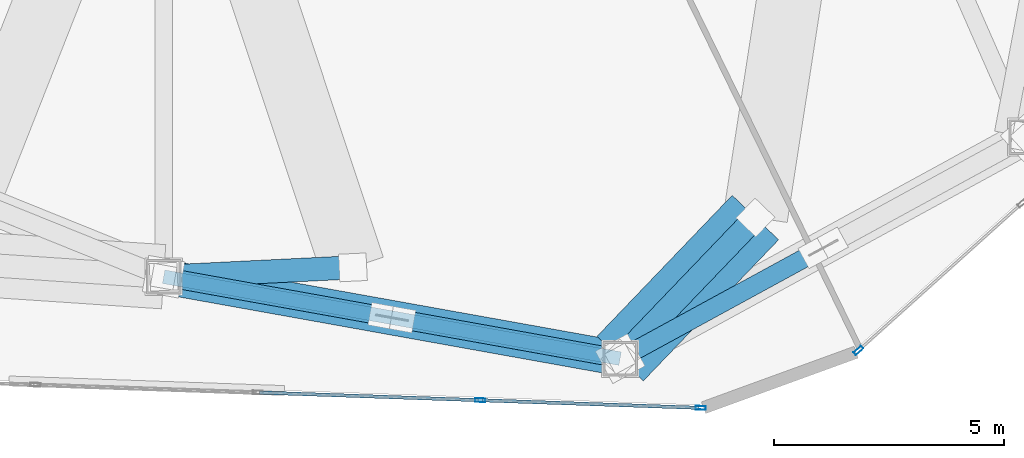
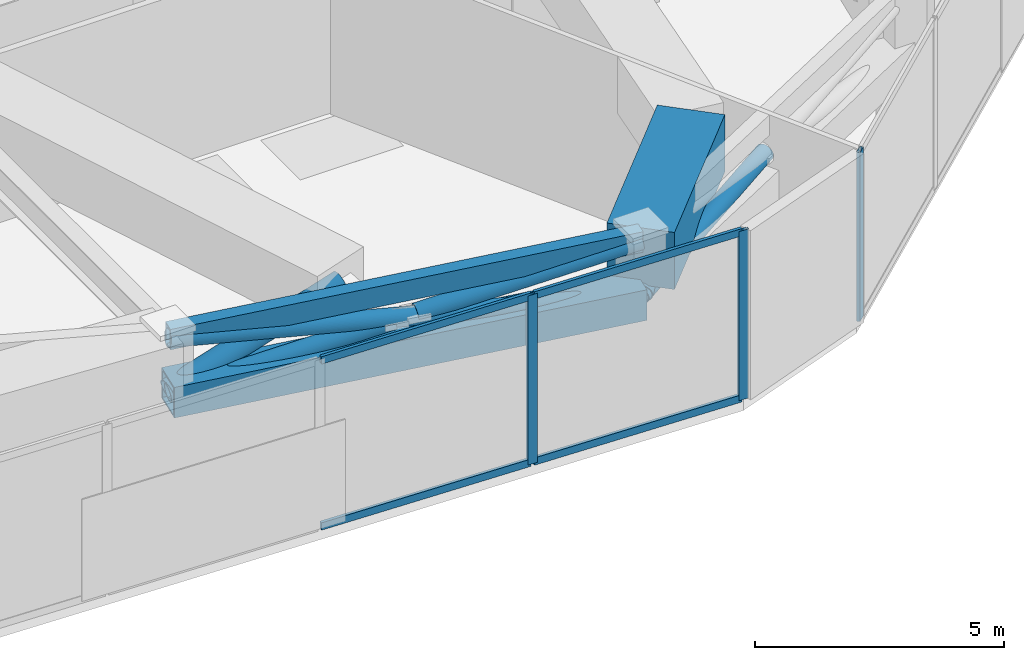
# One storey, part 5 of 25: 14 members, 2 beams, 2 elements without a shape of their own.
"""IFC4 building model written with IfcOpenShell, lengths in metres."""

from ifc_helpers import new_model, si_unit, direction, frame, origin, origin_2d, place, context, subcontext, project, spatial, rectangle, hollow_rectangle, hollow_circle, extrude, source, transform, mapped, material, layer, layer_set, material_profile, profile_set, type_object, type_shapes, element, aggregate, save


model = new_model("IFC4")

# Units and contexts
model_context = context("Model", 3, precision=1e-05, world=origin(), true_north=direction((0.0, 1.0)))
body_context = subcontext(model_context, "Body", "Model", "MODEL_VIEW")
ifc_project = project(units=[si_unit("LENGTHUNIT", "METRE"), si_unit("AREAUNIT", "SQUARE_METRE"), si_unit("VOLUMEUNIT", "CUBIC_METRE"), si_unit("PLANEANGLEUNIT", "RADIAN"), si_unit("MASSUNIT", "GRAM", prefix="KILO")], contexts=[model_context])

# Site, building, storey
site_placement = place(None, origin())
site = spatial("IfcSite", under=ifc_project, at=site_placement, CompositionType="ELEMENT")
building_placement = place(site_placement, origin())
building = spatial("IfcBuilding", under=site, at=building_placement, Name="Talar Marvaseh", CompositionType="ELEMENT")
storey_placement = place(building_placement, frame((0.0, 0.0, 84.800048828125)))
storey = spatial("IfcBuildingStorey", under=building, at=storey_placement, Name="L21", CompositionType="ELEMENT", Elevation=84.800048828125)

# Beams
ifc_material_1 = material(Name="Concrete C70/85", Category="concrete")
ifc_material_profile_1 = material_profile(ifc_material_1, rectangle(XDim=1.39990234375, YDim=1.39990234375, at=origin_2d()), Name="RC1400x1400")
ifc_profile_set_1 = profile_set([ifc_material_profile_1], Name="Concrete C70/85")
beam_type_1 = type_object("IfcBeamType", Name="Setback Deep Concrete Transfer Girder RC1400x1400", PredefinedType="BEAM", material=ifc_profile_set_1)
beam_1_placement = place(storey_placement, frame((28.625, 11.195068359375, 3.449951171875), z_axis=(0.69191906693, 0.721975072159, 0.0), x_axis=(-0.721975072159, 0.69191906693, 0.0)))
element("IfcBeam", 1, at=beam_1_placement, inside=storey, type_object=beam_type_1, Name="L21 Setback Cantilever Transfer Girder 5", PredefinedType="BEAM", context=body_context, shape_type="SweptSolid", body=[
    extrude(rectangle(XDim=1.39990234375, YDim=1.39990234375, at=origin_2d()), origin(), (0.0, 0.0, 1.0), 4.25634765625),
])
ifc_material_2 = material(Name="Steel S355", Category="steel")
ifc_material_profile_2 = material_profile(ifc_material_2, hollow_rectangle(XDim=0.300048828125, YDim=0.5, WallThickness=0.02001953125, at=origin_2d()), Name="RHS500x300x20")
ifc_profile_set_2 = profile_set([ifc_material_profile_2], Name="Steel S355")
beam_type_2 = type_object("IfcBeamType", Name="Zone 1 Perimeter Spandrel Beam RHS500x300x20", PredefinedType="SPANDREL", material=ifc_profile_set_2)
beam_2_placement = place(storey_placement, frame((28.625, 11.195068359375, 3.89990234375), z_axis=(-0.984279934962, 0.176615428632, 0.0), x_axis=(-0.176615428632, -0.984279934962, 0.0)))
element("IfcBeam", 2, at=beam_2_placement, inside=storey, type_object=beam_type_2, Name="L21 Zone 1 Perimeter Spandrel Beam RHS500x300x20", PredefinedType="SPANDREL", context=body_context, shape_type="SweptSolid", body=[
    extrude(hollow_rectangle(XDim=0.300048828125, YDim=0.5, WallThickness=0.02001953125, at=origin_2d()), origin(), (0.0, 0.0, 1.0), 10.1005859375),
])

# Members
ifc_material_3 = material(Name="Steel S460", Category="steel")
ifc_material_profile_3 = material_profile(ifc_material_3, hollow_circle(Radius=0.25390625, WallThickness=0.02001953125, at=origin_2d()), Name="CHS508x20")
ifc_profile_set_3 = profile_set([ifc_material_profile_3], Name="Steel S460")
member_type_1 = type_object("IfcMemberType", Name="Crown Frame Diagonal Brace CHS508x20", PredefinedType="BRACE", material=ifc_profile_set_3)
shared_shape_1 = source(origin(), body_context, "Body", "SweptSolid", [
    extrude(hollow_circle(Radius=0.25390625, WallThickness=0.02001953125, at=origin_2d()), origin(), (0.0, 0.0, 1.0), 4.396240234375),
])
member_1_placement = place(storey_placement, frame((28.625, 11.195068359375, 2.550048828125), z_axis=(0.669914913838, 0.699015089155, 0.250183759168), x_axis=(-0.721975072159, 0.69191906693, 0.0)))
element("IfcMember", 3, at=member_1_placement, inside=storey, type_object=member_type_1, Name="L21 Setback Transfer Raked Strut 5", PredefinedType="BRACE", context=body_context, shape_type="MappedRepresentation", body=[
    mapped(shared_shape_1, transform((0.0, 0.0, 0.0), x_axis=(1.0, 0.0, 0.0), y_axis=(0.0, 1.0, 0.0), z_axis=(0.0, 0.0, 1.0), scale=1.0)),
])
shared_shape_2 = source(origin(), body_context, "Body", "SweptSolid", [
    extrude(hollow_circle(Radius=0.25390625, WallThickness=0.02001953125, at=origin_2d()), origin(), (0.0, 0.0, 1.0), 4.27099609375),
])
type_shapes(member_type_1, [shared_shape_1, shared_shape_2])
member_2_placement = place(storey_placement, frame((18.68310546875, 12.97900390625, 2.550048828125), z_axis=(0.965090178783, 0.047788626989, 0.257521249506), x_axis=(-0.049456670132, 0.998776270132, 0.0)))
element("IfcMember", 4, at=member_2_placement, inside=storey, type_object=member_type_1, Name="L21 Setback Transfer Raked Strut 6", PredefinedType="BRACE", context=body_context, shape_type="MappedRepresentation", body=[
    mapped(shared_shape_2, transform((0.0, 0.0, 0.0), x_axis=(1.0, 0.0, 0.0), y_axis=(0.0, 1.0, 0.0), z_axis=(0.0, 0.0, 1.0), scale=1.0)),
])
ifc_material_profile_4 = material_profile(ifc_material_3, hollow_circle(Radius=0.203125, WallThickness=0.01611328125, at=origin_2d()), Name="CHS406x16")
ifc_profile_set_4 = profile_set([ifc_material_profile_4], Name="Steel S460")
member_type_2 = type_object("IfcMemberType", Name="Belt Truss Diagonal Brace CHS406x16", PredefinedType="BRACE", material=ifc_profile_set_4)
shared_shape_3 = source(origin(), body_context, "Body", "SweptSolid", [
    extrude(hollow_circle(Radius=0.203125, WallThickness=0.01611328125, at=origin_2d()), origin(), (0.0, 0.0, 1.0), 4.842041015625),
])
member_3_placement = place(storey_placement, frame((28.625, 11.195068359375, 2.5), z_axis=(0.870029941563, 0.474772641539, 0.132811293311), x_axis=(-0.479016081045, 0.877806125577, 0.0)))
element("IfcMember", 5, at=member_3_placement, inside=storey, type_object=member_type_2, Name="L21 Belt Truss Split Diagonal Lower 4", PredefinedType="BRACE", context=body_context, shape_type="MappedRepresentation", body=[
    mapped(shared_shape_3, transform((0.0, 0.0, 0.0), x_axis=(1.0, 0.0, 0.0), y_axis=(0.0, 1.0, 0.0), z_axis=(0.0, 0.0, 1.0), scale=1.0)),
])
ifc_material_profile_5 = material_profile(ifc_material_3, hollow_rectangle(XDim=0.75, YDim=0.75, WallThickness=0.0400390625, at=origin_2d()), Name="BOX750x750x40")
ifc_profile_set_5 = profile_set([ifc_material_profile_5], Name="Steel S460")
member_type_3 = type_object("IfcMemberType", Name="Belt Truss Chord Member BOX750x750x40", PredefinedType="CHORD", material=ifc_profile_set_5)
shared_shape_4 = source(origin(), body_context, "Body", "SweptSolid", [
    extrude(hollow_rectangle(XDim=0.75, YDim=0.75, WallThickness=0.0400390625, at=origin_2d()), origin(), (0.0, 0.0, 1.0), 10.1005859375),
])
type_shapes(member_type_3, [shared_shape_4])
member_4_placement = place(storey_placement, frame((28.625, 11.195068359375, 2.5), z_axis=(-0.984279934962, 0.176615428632, 0.0), x_axis=(-0.176615428632, -0.984279934962, 0.0)))
element("IfcMember", 6, at=member_4_placement, inside=storey, type_object=member_type_3, Name="L21 Belt Truss Bottom Chord 5", PredefinedType="CHORD", context=body_context, shape_type="MappedRepresentation", body=[
    mapped(shared_shape_4, transform((0.0, 0.0, 0.0), x_axis=(1.0, 0.0, 0.0), y_axis=(0.0, 1.0, 0.0), z_axis=(0.0, 0.0, 1.0), scale=1.0)),
])
shared_shape_5 = source(origin(), body_context, "Body", "SweptSolid", [
    extrude(hollow_circle(Radius=0.203125, WallThickness=0.01611328125, at=origin_2d()), origin(), (0.0, 0.0, 1.0), 10.1904296875),
])
member_5_placement = place(storey_placement, frame((28.625, 11.195068359375, 2.5), z_axis=(-0.975606508248, 0.175059102101, 0.132462265707), x_axis=(-0.176615428632, -0.984279934962, 0.0)))
element("IfcMember", 7, at=member_5_placement, inside=storey, type_object=member_type_2, Name="L21 Belt Truss Continuous Diagonal 5", PredefinedType="BRACE", context=body_context, shape_type="MappedRepresentation", body=[
    mapped(shared_shape_5, transform((0.0, 0.0, 0.0), x_axis=(1.0, 0.0, 0.0), y_axis=(0.0, 1.0, 0.0), z_axis=(0.0, 0.0, 1.0), scale=1.0)),
])
shared_shape_6 = source(origin(), body_context, "Body", "SweptSolid", [
    extrude(hollow_circle(Radius=0.203125, WallThickness=0.01611328125, at=origin_2d()), origin(), (0.0, 0.0, 1.0), 4.855224609375),
])
type_shapes(member_type_2, [shared_shape_3, shared_shape_5, shared_shape_6])
for number, where, z_axis, x_axis, name in (
    (8, (18.68310546875, 12.97900390625, 2.5), (0.975603433362, -0.175087679361, 0.132447141711), (0.176643899772, 0.984274825785, 0.0), "L21 Belt Truss Split Diagonal Lower 5"),
    (9, (23.88818359375, 12.044921875, 3.206787109375), (0.975612021502, -0.175038936545, 0.13244830763), (0.176594751476, 0.984283644968, 0.0), "L21 Belt Truss Split Diagonal Upper 5"),
):
    element("IfcMember", number, at=place(storey_placement, frame(where, z_axis=z_axis, x_axis=x_axis)), inside=storey, type_object=member_type_2, Name=name, PredefinedType="BRACE", context=body_context, shape_type="MappedRepresentation", body=[
        mapped(shared_shape_6, transform((0.0, 0.0, 0.0), x_axis=(1.0, 0.0, 0.0), y_axis=(0.0, 1.0, 0.0), z_axis=(0.0, 0.0, 1.0), scale=1.0)),
    ])

# Curtain wall, members
ifc_material_4 = material(Name="Architectural Aluminium", Category="aluminium")
ifc_layer = layer(ifc_material_4, 0.219970703125)
ifc_layer_set = layer_set([ifc_layer], Name="Architectural Aluminium")
curtain_wall_type = type_object("IfcCurtainWallType", Name="Unitised Low-E Museum Curtain Wall Z1", PredefinedType="NOTDEFINED", material=ifc_layer_set)
curtain_wall_1_placement = place(storey_placement, origin())
curtain_wall_1 = element("IfcCurtainWall", 10, at=curtain_wall_1_placement, inside=storey, type_object=curtain_wall_type, Name="L21 Unitised Low-E Museum Curtain Wall Z1", PredefinedType="NOTDEFINED")
ifc_material_profile_6 = material_profile(ifc_material_4, hollow_rectangle(XDim=0.074951171875, YDim=0.179931640625, WallThickness=0.0048828125, at=origin_2d()), Name="RHS180x75x5")
ifc_profile_set_6 = profile_set([ifc_material_profile_6], Name="Architectural Aluminium")
member_type_4 = type_object("IfcMemberType", Name="Unitised Curtain Wall Transom RHS180x75x5", PredefinedType="USERDEFINED", material=ifc_profile_set_6)
shared_shape_7 = source(origin(), body_context, "Body", "SweptSolid", [
    extrude(hollow_rectangle(XDim=0.074951171875, YDim=0.179931640625, WallThickness=0.0048828125, at=origin_2d()), origin(), (0.0, 0.0, 1.0), 4.765380859375),
])
member_6_placement = place(storey_placement, frame((25.537353515625, 10.291748046875, 0.037353515625), z_axis=(-0.999396530729, 0.034735779353, 0.0), x_axis=(-0.034735779353, -0.999396530729, 0.0)))
member_6 = element("IfcMember", 11, at=member_6_placement, type_object=member_type_4, Name="CW-Z1 transom 2.1", ObjectType="TRANSOM", PredefinedType="USERDEFINED", context=body_context, shape_type="MappedRepresentation", body=[
    mapped(shared_shape_7, transform((0.0, 0.0, 0.0), x_axis=(1.0, 0.0, 0.0), y_axis=(0.0, 1.0, 0.0), z_axis=(0.0, 0.0, 1.0), scale=1.0)),
])
member_7_placement = place(storey_placement, frame((25.537353515625, 10.291748046875, 4.112548828125), z_axis=(-0.999396530729, 0.034735779353, 0.0), x_axis=(-0.034735779353, -0.999396530729, 0.0)))
member_7 = element("IfcMember", 12, at=member_7_placement, type_object=member_type_4, Name="CW-Z1 transom 2.2", ObjectType="TRANSOM", PredefinedType="USERDEFINED", context=body_context, shape_type="MappedRepresentation", body=[
    mapped(shared_shape_7, transform((0.0, 0.0, 0.0), x_axis=(1.0, 0.0, 0.0), y_axis=(0.0, 1.0, 0.0), z_axis=(0.0, 0.0, 1.0), scale=1.0)),
])
shared_shape_8 = source(origin(), body_context, "Body", "SweptSolid", [
    extrude(hollow_rectangle(XDim=0.074951171875, YDim=0.179931640625, WallThickness=0.0048828125, at=origin_2d()), origin(), (0.0, 0.0, 1.0), 4.7255859375),
])
type_shapes(member_type_4, [shared_shape_7, shared_shape_8])
member_8_placement = place(storey_placement, frame((30.33984375, 10.124755859375, 0.037353515625), z_axis=(-0.99939713078, 0.034718510747, 0.0), x_axis=(-0.034718510747, -0.99939713078, 0.0)))
member_8 = element("IfcMember", 13, at=member_8_placement, type_object=member_type_4, Name="CW-Z1 transom 1.1", ObjectType="TRANSOM", PredefinedType="USERDEFINED", context=body_context, shape_type="MappedRepresentation", body=[
    mapped(shared_shape_8, transform((0.0, 0.0, 0.0), x_axis=(1.0, 0.0, 0.0), y_axis=(0.0, 1.0, 0.0), z_axis=(0.0, 0.0, 1.0), scale=1.0)),
])
member_9_placement = place(storey_placement, frame((30.33984375, 10.124755859375, 4.112548828125), z_axis=(-0.99939713078, 0.034718510747, 0.0), x_axis=(-0.034718510747, -0.99939713078, 0.0)))
member_9 = element("IfcMember", 14, at=member_9_placement, type_object=member_type_4, Name="CW-Z1 transom 1.2", ObjectType="TRANSOM", PredefinedType="USERDEFINED", context=body_context, shape_type="MappedRepresentation", body=[
    mapped(shared_shape_8, transform((0.0, 0.0, 0.0), x_axis=(1.0, 0.0, 0.0), y_axis=(0.0, 1.0, 0.0), z_axis=(0.0, 0.0, 1.0), scale=1.0)),
])

# Curtain wall, member
curtain_wall_2_placement = place(storey_placement, origin())
curtain_wall_2 = element("IfcCurtainWall", 15, at=curtain_wall_2_placement, inside=storey, type_object=curtain_wall_type, Name="L21 Unitised Low-E Museum Curtain Wall Z1", PredefinedType="NOTDEFINED")
ifc_material_profile_7 = material_profile(ifc_material_4, hollow_rectangle(XDim=0.080078125, YDim=0.219970703125, WallThickness=0.0048828125, at=origin_2d()), Name="RHS220x80x5")
ifc_profile_set_7 = profile_set([ifc_material_profile_7], Name="Architectural Aluminium")
member_type_5 = type_object("IfcMemberType", Name="Unitised Curtain Wall Heavy Mullion RHS220x80x5", PredefinedType="MULLION", material=ifc_profile_set_7)
shared_shape_9 = source(origin(), body_context, "Body", "SweptSolid", [
    extrude(hollow_rectangle(XDim=0.080078125, YDim=0.219970703125, WallThickness=0.0048828125, at=origin_2d()), origin(), (0.0, 0.0, 1.0), 4.14990234375),
])
type_shapes(member_type_5, [shared_shape_9])
member_10_placement = place(storey_placement, frame((33.814208984375, 11.37353515625, 0.0), z_axis=(0.0, 0.0, 1.0), x_axis=(0.669016040785, -0.743247964796, 0.0)))
member_10 = element("IfcMember", 16, at=member_10_placement, type_object=member_type_5, Name="CW-Z1 mullion 6", PredefinedType="MULLION", context=body_context, shape_type="MappedRepresentation", body=[
    mapped(shared_shape_9, transform((0.0, 0.0, 0.0), x_axis=(1.0, 0.0, 0.0), y_axis=(0.0, 1.0, 0.0), z_axis=(0.0, 0.0, 1.0), scale=1.0)),
])
aggregate(curtain_wall_2, [member_10])

# Member
member_11_placement = place(storey_placement, frame((30.379638671875, 10.123291015625, 0.0), z_axis=(0.0, 0.0, 1.0), x_axis=(-0.03474674558, -0.999396149518, 0.0)))
member_11 = element("IfcMember", 17, at=member_11_placement, type_object=member_type_5, Name="CW-Z1 mullion 1", PredefinedType="MULLION", context=body_context, shape_type="MappedRepresentation", body=[
    mapped(shared_shape_9, transform((0.0, 0.0, 0.0), x_axis=(1.0, 0.0, 0.0), y_axis=(0.0, 1.0, 0.0), z_axis=(0.0, 0.0, 1.0), scale=1.0)),
])

member_12_placement = place(storey_placement, frame((25.577392578125, 10.290283203125, 0.0), z_axis=(0.0, 0.0, 1.0), x_axis=(-0.03474674558, -0.999396149518, 0.0)))
member_12 = element("IfcMember", 18, at=member_12_placement, type_object=member_type_5, Name="CW-Z1 mullion 2", PredefinedType="MULLION", context=body_context, shape_type="MappedRepresentation", body=[
    mapped(shared_shape_9, transform((0.0, 0.0, 0.0), x_axis=(1.0, 0.0, 0.0), y_axis=(0.0, 1.0, 0.0), z_axis=(0.0, 0.0, 1.0), scale=1.0)),
])

aggregate(curtain_wall_1, [member_11, member_12, member_8, member_9, member_6, member_7])

save(model, "model.ifc")
